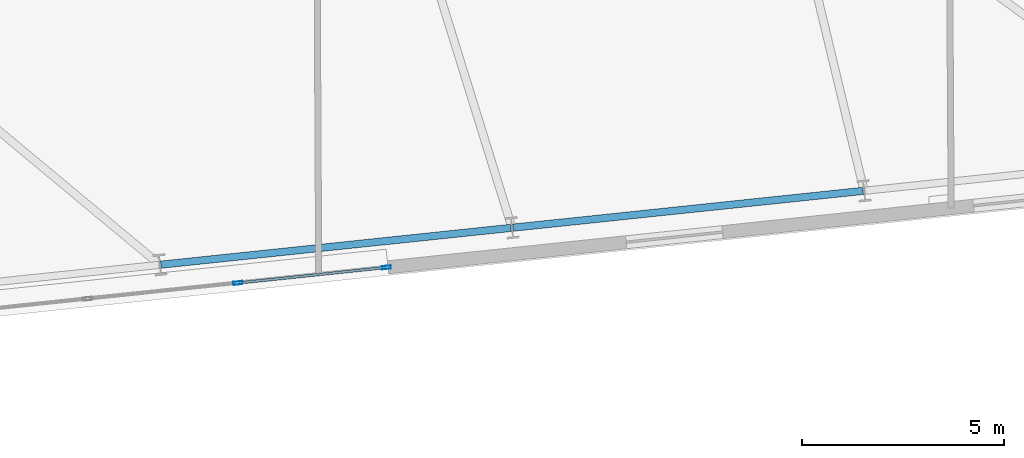
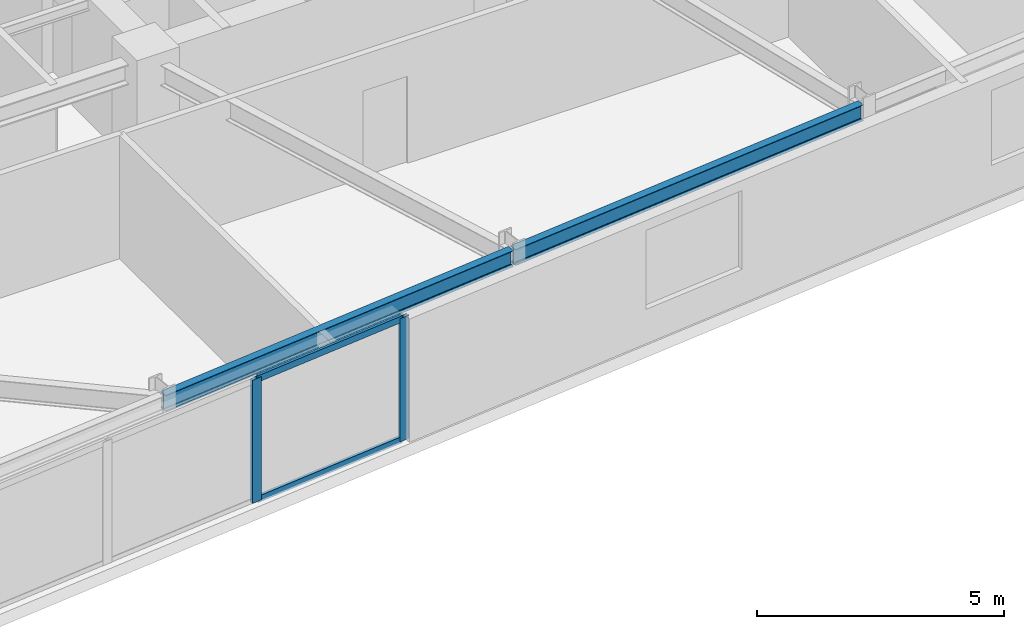
# One storey, part 8 of 23: 4 members, 2 beams, 1 element without a shape of its own.
"""IFC4 building model written with IfcOpenShell, lengths in metres."""

from ifc_helpers import new_model, si_unit, direction, frame, origin, origin_2d, place, context, subcontext, project, spatial, hollow_rectangle, i_section, extrude, material, layer, layer_set, material_profile, profile_set, type_object, element, aggregate, save


model = new_model("IFC4")

# Units and contexts
model_context = context("Model", 3, precision=1e-05, world=origin(), true_north=direction((0.0, 1.0)))
body_context = subcontext(model_context, "Body", "Model", "MODEL_VIEW")
ifc_project = project(units=[si_unit("LENGTHUNIT", "METRE"), si_unit("AREAUNIT", "SQUARE_METRE"), si_unit("VOLUMEUNIT", "CUBIC_METRE"), si_unit("PLANEANGLEUNIT", "RADIAN"), si_unit("MASSUNIT", "GRAM", prefix="KILO")], contexts=[model_context])

# Site, building, storey
site_placement = place(None, origin())
site = spatial("IfcSite", under=ifc_project, at=site_placement, CompositionType="ELEMENT")
building_placement = place(site_placement, origin())
building = spatial("IfcBuilding", under=site, at=building_placement, Name="Qobustan Lattice House", CompositionType="ELEMENT")
storey_placement = place(building_placement, frame((0.0, 0.0, 95.75)))
storey = spatial("IfcBuildingStorey", under=building, at=storey_placement, Name="L26", CompositionType="ELEMENT", Elevation=95.75)

# Beams
ifc_material_1 = material(Name="Steel S355", Category="steel")
ifc_material_profile_1 = material_profile(ifc_material_1, i_section(OverallWidth=0.179931640625, OverallDepth=0.39990234375, WebThickness=0.008544921875, FlangeThickness=0.013427734375, FilletRadius=0.02099609375, at=origin_2d()), Name="IPE400")
ifc_profile_set_1 = profile_set([ifc_material_profile_1], Name="Steel S355")
beam_type = type_object("IfcBeamType", Name="BM-SPD-IPE400", PredefinedType="SPANDREL", material=ifc_profile_set_1)
beam_1_placement = place(storey_placement, frame((3.51171875, -16.1484375, 2.844970703125), z_axis=(0.994521279781, 0.10453432002, 0.0), x_axis=(-0.10453432002, 0.994521279781, 0.0)))
element("IfcBeam", 1, at=beam_1_placement, inside=storey, type_object=beam_type, Name="L26 perimeter spandrel S4-S5", PredefinedType="SPANDREL", context=body_context, shape_type="SweptSolid", body=[
    extrude(i_section(OverallWidth=0.179931640625, OverallDepth=0.39990234375, WebThickness=0.008544921875, FlangeThickness=0.013427734375, FilletRadius=0.02099609375, at=origin_2d()), origin(), (0.0, 0.0, 1.0), 8.69970703125),
])
beam_2_placement = place(storey_placement, frame((12.213623046875, -15.23388671875, 2.844970703125), z_axis=(0.994521586424, 0.104531402636, 0.0), x_axis=(-0.104531402636, 0.994521586424, 0.0)))
element("IfcBeam", 2, at=beam_2_placement, inside=storey, type_object=beam_type, Name="L26 perimeter spandrel S5-S6", PredefinedType="SPANDREL", context=body_context, shape_type="SweptSolid", body=[
    extrude(i_section(OverallWidth=0.179931640625, OverallDepth=0.39990234375, WebThickness=0.008544921875, FlangeThickness=0.013427734375, FilletRadius=0.02099609375, at=origin_2d()), origin(), (0.0, 0.0, 1.0), 8.699951171875),
])

# Curtain wall, members
ifc_material_2 = material(Name="Anodised aluminium and low-E glazing", Category="aluminium")
ifc_layer = layer(ifc_material_2, 0.219970703125)
ifc_layer_set = layer_set([ifc_layer], Name="Anodised aluminium and low-E glazing")
curtain_wall_type = type_object("IfcCurtainWallType", Name="CW-IWN-01", PredefinedType="USERDEFINED", material=ifc_layer_set)
curtain_wall_placement = place(storey_placement, origin())
curtain_wall = element("IfcCurtainWall", 3, at=curtain_wall_placement, inside=storey, type_object=curtain_wall_type, Name="L26 IWAN-2 walnut-lined iwan curtain wall", ObjectType="CURTAIN WALL", PredefinedType="USERDEFINED")
ifc_material_3 = material(Name="Anodised aluminium EN AW-6063 T6", Category="aluminium")
ifc_material_profile_2 = material_profile(ifc_material_3, hollow_rectangle(XDim=0.080078125, YDim=0.219970703125, WallThickness=0.0048828125, at=origin_2d()), Name="CWM-220x80")
ifc_profile_set_2 = profile_set([ifc_material_profile_2], Name="Anodised aluminium EN AW-6063 T6")
member_type_1 = type_object("IfcMemberType", Name="CWM-MAIN-220", PredefinedType="MULLION", material=ifc_profile_set_2)
member_1_placement = place(storey_placement, frame((9.084228515625, -16.21630859375, 0.0), z_axis=(0.0, 0.0, 1.0), x_axis=(0.104526295675, -0.994522123189, 0.0)))
member_1 = element("IfcMember", 4, at=member_1_placement, type_object=member_type_1, Name="CW-IW mullion 1", PredefinedType="MULLION", context=body_context, shape_type="SweptSolid", body=[
    extrude(hollow_rectangle(XDim=0.080078125, YDim=0.219970703125, WallThickness=0.0048828125, at=origin_2d()), origin(), (0.0, 0.0, 1.0), 3.044921875),
])
member_2_placement = place(storey_placement, frame((5.4111328125, -16.6025390625, 0.0), z_axis=(0.0, 0.0, 1.0), x_axis=(0.104526295675, -0.994522123189, 0.0)))
member_2 = element("IfcMember", 5, at=member_2_placement, type_object=member_type_1, Name="CW-IW mullion 2", PredefinedType="MULLION", context=body_context, shape_type="SweptSolid", body=[
    extrude(hollow_rectangle(XDim=0.080078125, YDim=0.219970703125, WallThickness=0.0048828125, at=origin_2d()), origin(), (0.0, 0.0, 1.0), 3.044921875),
])
ifc_material_4 = material(Name="Anodised aluminium EN AW-6063 T6", Category="aluminium")
ifc_material_profile_3 = material_profile(ifc_material_4, hollow_rectangle(XDim=0.06494140625, YDim=0.159912109375, WallThickness=0.00390625, at=origin_2d()), Name="CWT-160x65")
ifc_profile_set_3 = profile_set([ifc_material_profile_3], Name="Anodised aluminium EN AW-6063 T6")
member_type_2 = type_object("IfcMemberType", Name="CWT-HOR-160", PredefinedType="USERDEFINED", material=ifc_profile_set_3)
member_3_placement = place(storey_placement, frame((9.04443359375, -16.220458984375, 0.032470703125), z_axis=(-0.99452210074, -0.104526509263, 0.0), x_axis=(0.104526509263, -0.99452210074, 0.0)))
member_3 = element("IfcMember", 6, at=member_3_placement, type_object=member_type_2, Name="CW-IW transom 1.1", ObjectType="TRANSOM", PredefinedType="USERDEFINED", context=body_context, shape_type="SweptSolid", body=[
    extrude(hollow_rectangle(XDim=0.06494140625, YDim=0.159912109375, WallThickness=0.00390625, at=origin_2d()), origin(), (0.0, 0.0, 1.0), 3.61328125),
])
member_4_placement = place(storey_placement, frame((9.04443359375, -16.220458984375, 3.012451171875), z_axis=(-0.99452210074, -0.104526509263, 0.0), x_axis=(0.104526509263, -0.99452210074, 0.0)))
member_4 = element("IfcMember", 7, at=member_4_placement, type_object=member_type_2, Name="CW-IW transom 1.2", ObjectType="TRANSOM", PredefinedType="USERDEFINED", context=body_context, shape_type="SweptSolid", body=[
    extrude(hollow_rectangle(XDim=0.06494140625, YDim=0.159912109375, WallThickness=0.00390625, at=origin_2d()), origin(), (0.0, 0.0, 1.0), 3.61328125),
])
aggregate(curtain_wall, [member_1, member_2, member_3, member_4])

save(model, "model.ifc")
